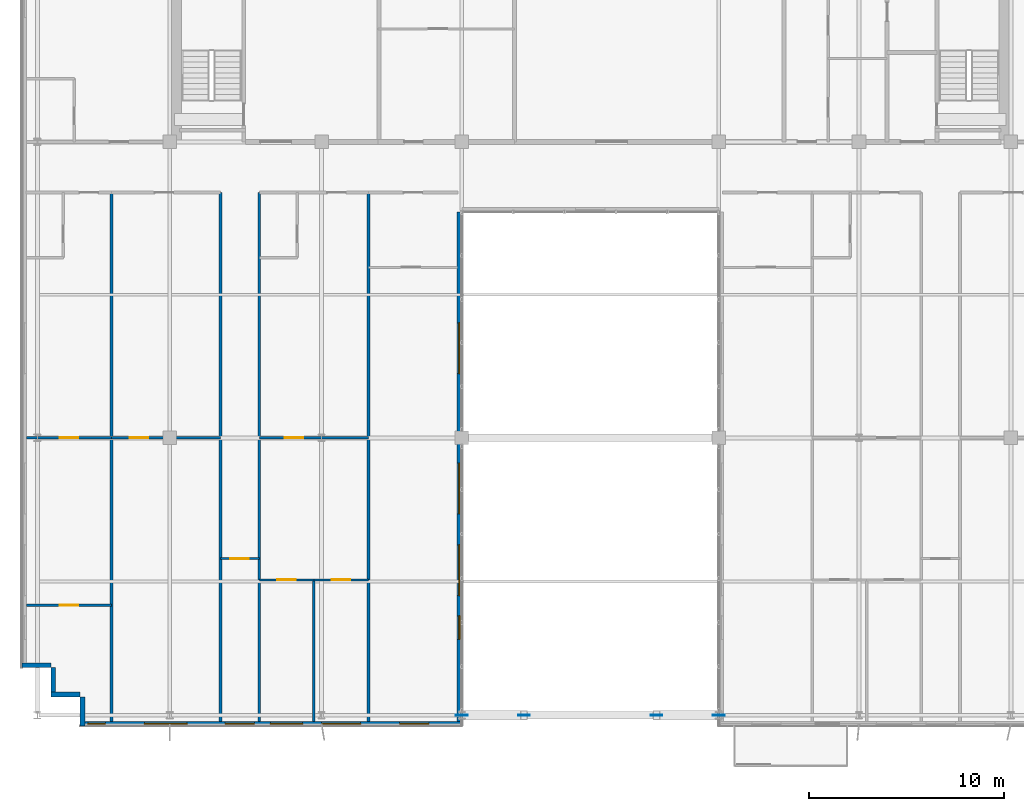
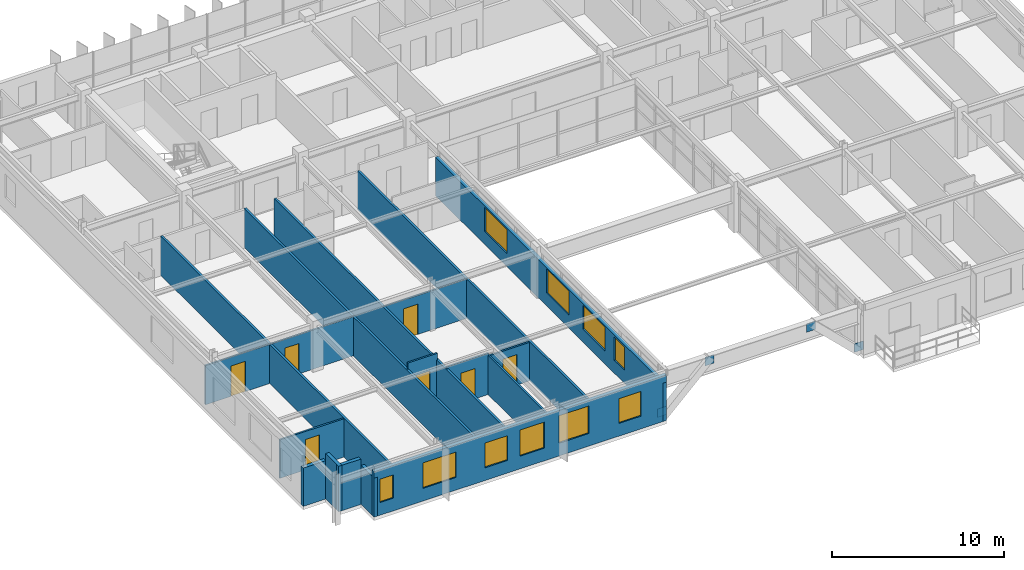
# One storey, part 30 of 37: 18 walls, 10 windows, 7 doors, 4 plates, 17 openings.
"""IFC4 building model written with IfcOpenShell, lengths in metres."""

import ifcopenshell
import ifcopenshell.guid

model = None  # the IFC model being written
_history = None  # IfcOwnerHistory: only IFC2X3 demands one
_inside = {}  # id of a spatial element -> (the spatial element, [elements in it])
_under = {}  # id of a project, library or spatial element -> (it, [spatial elements below it])
_declared = {}  # id of a project -> (the project, [libraries it declares])
_typed = {}  # id of a type object -> (the type object, [elements of that type])
_made_of = {}  # id of a material, layer set ... -> (it, [elements and type objects made of it])


def new_model(schema):
    """Start an empty IFC model of exactly this schema.

    Asked for "IFC4X3", IfcOpenShell would pick the latest addendum, in which some entities
    have other attributes; the version numbers below select the first issue.
    IFC2X3 requires an IfcOwnerHistory on every rooted entity: one is made here for all.
    """
    global model, _history
    if schema == "IFC4X3":
        model = ifcopenshell.file(schema_version=(4, 3, 0, 0))
    else:
        model = ifcopenshell.file(schema=schema)
    _inside.clear()
    _under.clear()
    _declared.clear()
    _typed.clear()
    _made_of.clear()
    _history = None
    if model.schema == "IFC2X3":
        org = make("IfcOrganization", Name="unknown")
        user = make(
            "IfcPersonAndOrganization",
            ThePerson=make("IfcPerson", FamilyName="unknown"),
            TheOrganization=org,
        )
        app = make(
            "IfcApplication",
            ApplicationDeveloper=org,
            Version="unknown",
            ApplicationFullName="unknown",
            ApplicationIdentifier="unknown",
        )
        _history = make(
            "IfcOwnerHistory",
            OwningUser=user,
            OwningApplication=app,
            ChangeAction="ADDED",
            CreationDate=0,
        )
    return model


def make(cls, **values):
    """One entity of the class cls with the attributes given. An attribute that is None is left unset."""
    return model.create_entity(
        cls, **{name: value for name, value in values.items() if value is not None}
    )


def rooted(cls, **values):
    """An entity with a GlobalId (a new one), such as an element, a storey or a relation."""
    return make(cls, GlobalId=ifcopenshell.guid.new(), OwnerHistory=_history, **values)


def si_unit(unit_type, name, prefix=None):
    """IfcSIUnit, for example si_unit("LENGTHUNIT", "METRE", prefix="MILLI")."""
    return make("IfcSIUnit", UnitType=unit_type, Prefix=prefix, Name=name)


def assignment(units):
    """IfcUnitAssignment: the units of a project."""
    return None if units is None else make("IfcUnitAssignment", Units=units)


def point(xyz):
    """IfcCartesianPoint."""
    return None if xyz is None else make("IfcCartesianPoint", Coordinates=xyz)


def direction(xyz):
    """IfcDirection."""
    return None if xyz is None else make("IfcDirection", DirectionRatios=xyz)


def frame(location, z_axis=None, x_axis=None):
    """IfcAxis2Placement3D, a coordinate frame: its origin and axes. An axis left out is left unset."""
    return make(
        "IfcAxis2Placement3D",
        Location=point(location),
        Axis=direction(z_axis),
        RefDirection=direction(x_axis),
    )


def frame_2d(location, x_axis=None):
    """IfcAxis2Placement2D, a coordinate frame in the plane: its origin and x axis."""
    return make(
        "IfcAxis2Placement2D", Location=point(location), RefDirection=direction(x_axis)
    )


def origin():
    """The frame at (0, 0, 0) with its axes left unset."""
    return frame((0.0, 0.0, 0.0))


def origin_2d():
    """The frame at (0, 0) in the plane with its x axis left unset."""
    return frame_2d((0.0, 0.0))


def place(relative_to, where):
    """IfcLocalPlacement: puts the frame where relative to a parent placement (None: the world)."""
    return make(
        "IfcLocalPlacement", PlacementRelTo=relative_to, RelativePlacement=where
    )


def context(
    kind, dimensions, precision=None, world=None, true_north=None, identifier=None
):
    """IfcGeometricRepresentationContext, for example the 3D "Model" context."""
    return make(
        "IfcGeometricRepresentationContext",
        ContextIdentifier=identifier,
        ContextType=kind,
        CoordinateSpaceDimension=dimensions,
        Precision=precision,
        WorldCoordinateSystem=world,
        TrueNorth=true_north,
    )


def subcontext(parent, identifier, kind, view, scale=None):
    """IfcGeometricRepresentationSubContext, for example "Body" below "Model"."""
    return make(
        "IfcGeometricRepresentationSubContext",
        ContextIdentifier=identifier,
        ContextType=kind,
        ParentContext=parent,
        TargetScale=scale,
        TargetView=view,
    )


def project(units=None, contexts=None):
    """IfcProject with its units and contexts."""
    return rooted(
        "IfcProject",
        Name="project",
        RepresentationContexts=contexts,
        UnitsInContext=assignment(units),
    )


def spatial(cls, under=None, at=None, **own):
    """A site, building, storey or space (cls), placed at a placement, below another one or the project."""
    s = rooted(cls, ObjectPlacement=at, **own)
    if under is not None:
        _under.setdefault(under.id(), (under, []))[1].append(s)
    return s


def profile(cls, at=None, kind="AREA", **sizes):
    """A parametric profile (cls). Its sizes go by their IFC names, for example OverallWidth=200.0."""
    return make(cls, ProfileType=kind, Position=at, **sizes)


def rectangle(**sizes):
    """IfcRectangleProfileDef."""
    return profile("IfcRectangleProfileDef", **sizes)


def extrude(swept, where, along, depth):
    """IfcExtrudedAreaSolid: the profile swept, set in the frame where, extruded along a direction by depth."""
    return make(
        "IfcExtrudedAreaSolid",
        SweptArea=swept,
        Position=where,
        ExtrudedDirection=direction(along),
        Depth=depth,
    )


def shape(context_of_items, identifier, shape_type, items):
    """IfcShapeRepresentation: the items that make up one representation, for example the "Body"."""
    return make(
        "IfcShapeRepresentation",
        ContextOfItems=context_of_items,
        RepresentationIdentifier=identifier,
        RepresentationType=shape_type,
        Items=items,
    )


def source(mapping_origin, context_of_items, identifier, shape_type, items):
    """IfcRepresentationMap: a shape defined once, which mapped items show again and again."""
    return make(
        "IfcRepresentationMap",
        MappingOrigin=mapping_origin,
        MappedRepresentation=shape(context_of_items, identifier, shape_type, items),
    )


def transform(
    local_origin,
    x_axis=None,
    y_axis=None,
    z_axis=None,
    scale=None,
    scale2=None,
    scale3=None,
    uniform=True,
):
    """IfcCartesianTransformationOperator3D, or its non-uniform kind. x_axis, y_axis, z_axis: its Axis1, 2, 3."""
    if uniform:
        return make(
            "IfcCartesianTransformationOperator3D",
            Axis1=direction(x_axis),
            Axis2=direction(y_axis),
            LocalOrigin=point(local_origin),
            Scale=scale,
            Axis3=direction(z_axis),
        )
    return make(
        "IfcCartesianTransformationOperator3DnonUniform",
        Axis1=direction(x_axis),
        Axis2=direction(y_axis),
        LocalOrigin=point(local_origin),
        Scale=scale,
        Axis3=direction(z_axis),
        Scale2=scale2,
        Scale3=scale3,
    )


def mapped(mapping_source, mapping_target):
    """IfcMappedItem: shows the shape of a source again, moved by a transform."""
    return make(
        "IfcMappedItem", MappingSource=mapping_source, MappingTarget=mapping_target
    )


def material(Name=None, Category=None):
    """IfcMaterial."""
    return make("IfcMaterial", Name=Name, Category=Category)


def layer(
    of_material, thickness, ventilated=None, Name=None, Category=None, Priority=None
):
    """IfcMaterialLayer: one layer of a wall or slab, of a material (None: an air gap)."""
    return make(
        "IfcMaterialLayer",
        Material=of_material,
        LayerThickness=thickness,
        IsVentilated=ventilated,
        Name=Name,
        Category=Category,
        Priority=Priority,
    )


def layer_set(layers, Name=None):
    """IfcMaterialLayerSet."""
    return make("IfcMaterialLayerSet", MaterialLayers=layers, LayerSetName=Name)


def made_of(thing, what):
    """Note that an element or type object is made of a material, layer set ...; save() writes the relation."""
    if what is not None:
        _made_of.setdefault(what.id(), (what, []))[1].append(thing)
    return thing


def type_object(cls, material=None, **own):
    """A type object (cls), such as IfcWallType, which elements share."""
    return made_of(rooted(cls, **own), material)


def element(
    cls,
    number,
    at=None,
    inside=None,
    cuts=None,
    type_object=None,
    material=None,
    context=None,
    identifier="Body",
    shape_type=None,
    held_by="IfcProductDefinitionShape",
    body=None,
    shapes=None,
    **own,
):
    """One element of the class cls, such as IfcWall. Its Tag is "e" and its number.

    at: its placement. inside: the storey or other place that contains it. cuts: it is an
    opening in that element (IfcRelVoidsElement). A single representation is given by context,
    identifier, shape_type and body (its items); several are given by shapes. held_by: the class
    of the entity that holds the representations. save() writes the other relations.
    """
    e = rooted(cls, Tag="e%d" % number, ObjectPlacement=at, **own)
    if body is not None:
        shapes = [shape(context, identifier, shape_type, body)]
    if shapes is not None:
        e.Representation = make(held_by, Representations=shapes)
    if inside is not None:
        _inside.setdefault(inside.id(), (inside, []))[1].append(e)
    if cuts is not None:
        rooted(
            "IfcRelVoidsElement", RelatingBuildingElement=cuts, RelatedOpeningElement=e
        )
    if type_object is not None:
        _typed.setdefault(type_object.id(), (type_object, []))[1].append(e)
    return made_of(e, material)


def fill(opening, filler):
    """IfcRelFillsElement: the door or window that sits in an opening."""
    return rooted(
        "IfcRelFillsElement",
        RelatingOpeningElement=opening,
        RelatedBuildingElement=filler,
    )


def aggregate(whole, parts):
    """IfcRelAggregates: a whole, such as a stair, and the parts it consists of."""
    return rooted("IfcRelAggregates", RelatingObject=whole, RelatedObjects=parts)


def save(model, path):
    """Write the relations noted so far, then the file.

    IfcRelAggregates (storeys below a building ...), IfcRelContainedInSpatialStructure (elements
    in a storey), IfcRelDefinesByType, IfcRelAssociatesMaterial and IfcRelDeclares: one each for
    every whole, place, type object, material and project.
    """
    for whole, parts in _under.values():
        aggregate(whole, parts)
    for where, things in _inside.values():
        rooted(
            "IfcRelContainedInSpatialStructure",
            RelatedElements=things,
            RelatingStructure=where,
        )
    for kind, things in _typed.values():
        rooted("IfcRelDefinesByType", RelatedObjects=things, RelatingType=kind)
    for what, things in _made_of.values():
        rooted("IfcRelAssociatesMaterial", RelatedObjects=things, RelatingMaterial=what)
    for by, libraries in _declared.values():
        rooted("IfcRelDeclares", RelatingContext=by, RelatedDefinitions=libraries)
    model.write(path)


model = new_model("IFC4")

# Units and contexts
model_context = context("Model", 3, precision=1e-05, world=origin(), true_north=direction((0.0, 1.0)))
body_context = subcontext(model_context, "Body", "Model", "MODEL_VIEW")
ifc_project = project(units=[si_unit("LENGTHUNIT", "METRE"), si_unit("AREAUNIT", "SQUARE_METRE"), si_unit("VOLUMEUNIT", "CUBIC_METRE"), si_unit("PLANEANGLEUNIT", "RADIAN"), si_unit("MASSUNIT", "GRAM", prefix="KILO")], contexts=[model_context])

# Site, building, storey
site_placement = place(None, origin())
site = spatial("IfcSite", under=ifc_project, at=site_placement, CompositionType="ELEMENT")
building_placement = place(site_placement, origin())
building = spatial("IfcBuilding", under=site, at=building_placement, Name="Trelvane Seafront Commons", CompositionType="ELEMENT")
storey_placement = place(building_placement, frame((0.0, 0.0, 201.300048828125)))
storey = spatial("IfcBuildingStorey", under=building, at=storey_placement, Name="L52", CompositionType="ELEMENT", Elevation=201.300048828125)

# Plates
ifc_material_1 = material(Name="Steel SM355 (S355)", Category="steel")
ifc_layer_1 = layer(ifc_material_1, 0.031982421875, Name="STR-PLT-GUS2")
ifc_layer_set_1 = layer_set([ifc_layer_1], Name="Steel SM355 (S355)")
plate_type = type_object("IfcPlateType", Name="STR-PLT-GUS2", PredefinedType="SHEET", material=ifc_layer_set_1)
shared_shape_1 = source(origin(), body_context, "Body", "SweptSolid", [
    extrude(rectangle(XDim=0.60009765625, YDim=0.031982421875, at=origin_2d()), origin(), (0.0, 0.0, 1.0), 0.60009765625),
])
for number, where, z_axis, x_axis, name in (
    (1, (30.60009765625, 3.949951171875, -0.02001953125), (0.0, 0.0, 1.0), (1.0, 0.0, 0.0), "L52 Brace Connection Gusset Plate GP-115"),
    (2, (33.800048828125, 3.949951171875, 2.52001953125), (0.0, 0.0, 1.0), (1.0, 0.0, 0.0), "L52 Brace Connection Gusset Plate GP-116"),
    (3, (43.800048828125, 3.949951171875, -0.02001953125), (0.0, 0.0, 1.0), (1.0, 0.0, 0.0), "L52 Brace Connection Gusset Plate GP-117"),
    (4, (40.60009765625, 3.949951171875, 2.52001953125), (0.0, 0.0, 1.0), (1.0, 0.0, 0.0), "L52 Brace Connection Gusset Plate GP-118"),
):
    element("IfcPlate", number, at=place(storey_placement, frame(where, z_axis=z_axis, x_axis=x_axis)), inside=storey, type_object=plate_type, Name=name, PredefinedType="SHEET", context=body_context, shape_type="MappedRepresentation", body=[
        mapped(shared_shape_1, transform((0.0, 0.0, 0.0), x_axis=(1.0, 0.0, 0.0), y_axis=(0.0, 1.0, 0.0), z_axis=(0.0, 0.0, 1.0), scale=1.0)),
    ])

# Walls
ifc_material_2 = material(Name="Precast concrete C40/50", Category="concrete")
ifc_layer_2 = layer(ifc_material_2, 0.239990234375, Name="ARCH-WALL-EXT240")
ifc_layer_set_2 = layer_set([ifc_layer_2], Name="Precast concrete C40/50")
wall_type_1 = type_object("IfcWallType", Name="ARCH-WALL-EXT240", PredefinedType="SOLIDWALL", material=ifc_layer_set_2)
for number, where, z_axis, x_axis, name in (
    (5, (11.0, 5.02001953125, 0.0), (0.0, 0.0, 1.0), (-1.0, 0.0, 0.0), "EW-L52-01034"),
    (6, (9.6201171875, 4.89990234375, 0.0), (0.0, 0.0, 1.0), (0.0, 1.0, 0.0), "EW-L52-01035"),
):
    element("IfcWall", number, at=place(storey_placement, frame(where, z_axis=z_axis, x_axis=x_axis)), inside=storey, type_object=wall_type_1, Name=name, PredefinedType="SOLIDWALL", context=body_context, shape_type="SweptSolid", body=[
        extrude(rectangle(XDim=1.5, YDim=0.239990234375, at=frame_2d((0.75, 0.0))), origin(), (0.0, 0.0, 1.0), 3.219970703125),
    ])
wall_1_placement = place(storey_placement, frame((9.5, 6.52001953125, 0.0), z_axis=(0.0, 0.0, 1.0), x_axis=(-1.0, 0.0, 0.0)))
element("IfcWall", 7, at=wall_1_placement, inside=storey, type_object=wall_type_1, Name="EW-L52-01036", PredefinedType="SOLIDWALL", context=body_context, shape_type="SweptSolid", body=[
    extrude(rectangle(XDim=1.5, YDim=0.239990234375, at=frame_2d((0.75, 0.0))), origin(), (0.0, 0.0, 1.0), 2.719970703125),
])

# Wall, openings, windows
wall_2_placement = place(storey_placement, frame((30.47998046875, 29.800048828125, 0.0), z_axis=(0.0, 0.0, 1.0), x_axis=(0.0, -1.0, 0.0)))
wall_2 = element("IfcWall", 8, at=wall_2_placement, inside=storey, type_object=wall_type_1, Name="EW-L52-01054", PredefinedType="SOLIDWALL", context=body_context, shape_type="SweptSolid", body=[
    extrude(rectangle(XDim=26.400146484375, YDim=0.239990234375, at=frame_2d((13.2001953125, 0.0))), origin(), (0.0, 0.0, 1.0), 2.719970703125),
])
opening_1_placement = place(wall_2_placement, frame((20.75, 0.0, 0.919921875)))
opening_1 = element("IfcOpeningElement", 9, at=opening_1_placement, cuts=wall_2, Name="Opening W05", PredefinedType="OPENING", context=body_context, shape_type="SweptSolid", body=[
    extrude(rectangle(XDim=1.199951171875, YDim=1.64990234375, at=frame_2d((0.60009765625, 0.824951171875))), frame((0.0, 0.1298828125, 0.0), z_axis=(0.0, -1.0, 0.0), x_axis=(1.0, 0.0, 0.0)), (0.0, 0.0, 1.0), 0.260009765625),
])
opening_2_placement = place(wall_2_placement, frame((17.10009765625, 0.0, 0.919921875)))
opening_2 = element("IfcOpeningElement", 10, at=opening_2_placement, cuts=wall_2, Name="Opening W04", PredefinedType="OPENING", context=body_context, shape_type="SweptSolid", body=[
    extrude(rectangle(XDim=2.60009765625, YDim=1.699951171875, at=frame_2d((1.300048828125, 0.85009765625))), frame((0.0, 0.1298828125, 0.0), z_axis=(0.0, -1.0, 0.0), x_axis=(1.0, 0.0, 0.0)), (0.0, 0.0, 1.0), 0.260009765625),
])
opening_3_placement = place(wall_2_placement, frame((12.89990234375, 0.0, 0.919921875)))
opening_3 = element("IfcOpeningElement", 11, at=opening_3_placement, cuts=wall_2, Name="Opening W04", PredefinedType="OPENING", context=body_context, shape_type="SweptSolid", body=[
    extrude(rectangle(XDim=2.60009765625, YDim=1.699951171875, at=frame_2d((1.300048828125, 0.85009765625))), frame((0.0, 0.1298828125, 0.0), z_axis=(0.0, -1.0, 0.0), x_axis=(1.0, 0.0, 0.0)), (0.0, 0.0, 1.0), 0.260009765625),
])
opening_4_placement = place(wall_2_placement, frame((5.699951171875, 0.0, 0.919921875)))
opening_4 = element("IfcOpeningElement", 12, at=opening_4_placement, cuts=wall_2, Name="Opening W04", PredefinedType="OPENING", context=body_context, shape_type="SweptSolid", body=[
    extrude(rectangle(XDim=2.60009765625, YDim=1.699951171875, at=frame_2d((1.300048828125, 0.85009765625))), frame((0.0, 0.1298828125, 0.0), z_axis=(0.0, -1.0, 0.0), x_axis=(1.0, 0.0, 0.0)), (0.0, 0.0, 1.0), 0.260009765625),
])
ifc_material_3 = material(Name="Low-E coastal double glazing", Category="glass")
window_type_1 = type_object("IfcWindowType", Name="ARCH-WIN-W05", PartitioningType="SINGLE_PANEL", PredefinedType="WINDOW", material=ifc_material_3)
shared_shape_2 = source(origin(), body_context, "Body", "SweptSolid", [
    extrude(rectangle(XDim=1.199951171875, YDim=1.64990234375, at=frame_2d((0.60009765625, 0.824951171875))), frame((0.0, 0.030029296875, 0.0), z_axis=(0.0, -1.0, 0.0), x_axis=(1.0, 0.0, 0.0)), (0.0, 0.0, 1.0), 0.06005859375),
])
window_1_placement = place(opening_1_placement, origin())
window_1 = element("IfcWindow", 13, at=window_1_placement, inside=storey, type_object=window_type_1, Name="WIN-L52-EW-01261", OverallHeight=1.64990234375, OverallWidth=1.199951171875, PartitioningType="SINGLE_PANEL", PredefinedType="WINDOW", context=body_context, shape_type="MappedRepresentation", body=[
    mapped(shared_shape_2, transform((0.0, 0.0, 0.0), x_axis=(1.0, 0.0, 0.0), y_axis=(0.0, 1.0, 0.0), z_axis=(0.0, 0.0, 1.0), scale=1.0)),
])
fill(opening_1, window_1)
window_type_2 = type_object("IfcWindowType", Name="ARCH-WIN-W04", PartitioningType="SINGLE_PANEL", PredefinedType="WINDOW", material=ifc_material_3)
shared_shape_3 = source(origin(), body_context, "Body", "SweptSolid", [
    extrude(rectangle(XDim=2.60009765625, YDim=1.699951171875, at=frame_2d((1.300048828125, 0.85009765625))), frame((0.0, 0.030029296875, 0.0), z_axis=(0.0, -1.0, 0.0), x_axis=(1.0, 0.0, 0.0)), (0.0, 0.0, 1.0), 0.06005859375),
])
window_2_placement = place(opening_2_placement, origin())
window_2 = element("IfcWindow", 14, at=window_2_placement, inside=storey, type_object=window_type_2, Name="WIN-L52-EW-01262", OverallHeight=1.699951171875, OverallWidth=2.60009765625, PartitioningType="SINGLE_PANEL", PredefinedType="WINDOW", context=body_context, shape_type="MappedRepresentation", body=[
    mapped(shared_shape_3, transform((0.0, 0.0, 0.0), x_axis=(1.0, 0.0, 0.0), y_axis=(0.0, 1.0, 0.0), z_axis=(0.0, 0.0, 1.0), scale=1.0)),
])
fill(opening_2, window_2)
window_3_placement = place(opening_3_placement, origin())
window_3 = element("IfcWindow", 15, at=window_3_placement, inside=storey, type_object=window_type_2, Name="WIN-L52-EW-01263", OverallHeight=1.699951171875, OverallWidth=2.60009765625, PartitioningType="SINGLE_PANEL", PredefinedType="WINDOW", context=body_context, shape_type="MappedRepresentation", body=[
    mapped(shared_shape_3, transform((0.0, 0.0, 0.0), x_axis=(1.0, 0.0, 0.0), y_axis=(0.0, 1.0, 0.0), z_axis=(0.0, 0.0, 1.0), scale=1.0)),
])
fill(opening_3, window_3)
window_4_placement = place(opening_4_placement, origin())
window_4 = element("IfcWindow", 16, at=window_4_placement, inside=storey, type_object=window_type_2, Name="WIN-L52-EW-01264", OverallHeight=1.699951171875, OverallWidth=2.60009765625, PartitioningType="SINGLE_PANEL", PredefinedType="WINDOW", context=body_context, shape_type="MappedRepresentation", body=[
    mapped(shared_shape_3, transform((0.0, 0.0, 0.0), x_axis=(1.0, 0.0, 0.0), y_axis=(0.0, 1.0, 0.0), z_axis=(0.0, 0.0, 1.0), scale=1.0)),
])
fill(opening_4, window_4)

wall_3_placement = place(storey_placement, frame((30.60009765625, 3.52001953125, 0.0), z_axis=(0.0, 0.0, 1.0), x_axis=(-1.0, 0.0, 0.0)))
wall_3 = element("IfcWall", 17, at=wall_3_placement, inside=storey, type_object=wall_type_1, Name="EW-L52-01055", PredefinedType="SOLIDWALL", context=body_context, shape_type="SweptSolid", body=[
    extrude(rectangle(XDim=19.60009765625, YDim=0.239990234375, at=frame_2d((9.800048828125, 0.0))), origin(), (0.0, 0.0, 1.0), 3.219970703125),
])
opening_5_placement = place(wall_3_placement, frame((1.695068359375, 0.0, 0.89990234375)))
opening_5 = element("IfcOpeningElement", 18, at=opening_5_placement, cuts=wall_3, Name="Opening W03", PredefinedType="OPENING", context=body_context, shape_type="SweptSolid", body=[
    extrude(rectangle(XDim=1.5, YDim=1.75, at=frame_2d((0.75, 0.875))), frame((0.0, 0.1298828125, 0.0), z_axis=(0.0, -1.0, 0.0), x_axis=(1.0, 0.0, 0.0)), (0.0, 0.0, 1.0), 0.260009765625),
])
opening_6_placement = place(wall_3_placement, frame((5.199951171875, 0.0, 0.89990234375)))
opening_6 = element("IfcOpeningElement", 19, at=opening_6_placement, cuts=wall_3, Name="Opening W06", PredefinedType="OPENING", context=body_context, shape_type="SweptSolid", body=[
    extrude(rectangle(XDim=2.0, YDim=1.949951171875, at=frame_2d((1.0, 0.97509765625))), frame((0.0, 0.1298828125, 0.0), z_axis=(0.0, -1.0, 0.0), x_axis=(1.0, 0.0, 0.0)), (0.0, 0.0, 1.0), 0.260009765625),
])
opening_7_placement = place(wall_3_placement, frame((8.175048828125, 0.0, 0.89990234375)))
opening_7 = element("IfcOpeningElement", 20, at=opening_7_placement, cuts=wall_3, Name="Opening W07", PredefinedType="OPENING", context=body_context, shape_type="SweptSolid", body=[
    extrude(rectangle(XDim=1.64990234375, YDim=1.85009765625, at=frame_2d((0.824951171875, 0.925048828125))), frame((0.0, 0.1298828125, 0.0), z_axis=(0.0, -1.0, 0.0), x_axis=(1.0, 0.0, 0.0)), (0.0, 0.0, 1.0), 0.260009765625),
])
opening_8_placement = place(wall_3_placement, frame((10.64990234375, 0.0, 0.89990234375)))
opening_8 = element("IfcOpeningElement", 21, at=opening_8_placement, cuts=wall_3, Name="Opening W03", PredefinedType="OPENING", context=body_context, shape_type="SweptSolid", body=[
    extrude(rectangle(XDim=1.5, YDim=1.75, at=frame_2d((0.75, 0.875))), frame((0.0, 0.1298828125, 0.0), z_axis=(0.0, -1.0, 0.0), x_axis=(1.0, 0.0, 0.0)), (0.0, 0.0, 1.0), 0.260009765625),
])
opening_9_placement = place(wall_3_placement, frame((14.10009765625, 0.0, 0.89990234375)))
opening_9 = element("IfcOpeningElement", 22, at=opening_9_placement, cuts=wall_3, Name="Opening W02", PredefinedType="OPENING", context=body_context, shape_type="SweptSolid", body=[
    extrude(rectangle(XDim=2.199951171875, YDim=1.800048828125, at=frame_2d((1.10009765625, 0.89990234375))), frame((0.0, 0.1298828125, 0.0), z_axis=(0.0, -1.0, 0.0), x_axis=(1.0, 0.0, 0.0)), (0.0, 0.0, 1.0), 0.260009765625),
])
opening_10_placement = place(wall_3_placement, frame((18.304931640625, 0.0, 0.89990234375)))
opening_10 = element("IfcOpeningElement", 23, at=opening_10_placement, cuts=wall_3, Name="Opening W11", PredefinedType="OPENING", context=body_context, shape_type="SweptSolid", body=[
    extrude(rectangle(XDim=0.89990234375, YDim=1.64990234375, at=frame_2d((0.449951171875, 0.824951171875))), frame((0.0, 0.1298828125, 0.0), z_axis=(0.0, -1.0, 0.0), x_axis=(1.0, 0.0, 0.0)), (0.0, 0.0, 1.0), 0.260009765625),
])
window_type_3 = type_object("IfcWindowType", Name="ARCH-WIN-W02", PartitioningType="SINGLE_PANEL", PredefinedType="WINDOW", material=ifc_material_3)
shared_shape_4 = source(origin(), body_context, "Body", "SweptSolid", [
    extrude(rectangle(XDim=2.199951171875, YDim=1.800048828125, at=frame_2d((1.10009765625, 0.89990234375))), frame((0.0, 0.030029296875, 0.0), z_axis=(0.0, -1.0, 0.0), x_axis=(1.0, 0.0, 0.0)), (0.0, 0.0, 1.0), 0.06005859375),
])
window_5_placement = place(opening_9_placement, origin())
window_5 = element("IfcWindow", 24, at=window_5_placement, inside=storey, type_object=window_type_3, Name="WIN-L52-01269", OverallHeight=1.800048828125, OverallWidth=2.199951171875, PartitioningType="SINGLE_PANEL", PredefinedType="WINDOW", context=body_context, shape_type="MappedRepresentation", body=[
    mapped(shared_shape_4, transform((0.0, 0.0, 0.0), x_axis=(1.0, 0.0, 0.0), y_axis=(0.0, 1.0, 0.0), z_axis=(0.0, 0.0, 1.0), scale=1.0)),
])
fill(opening_9, window_5)
window_type_4 = type_object("IfcWindowType", Name="ARCH-WIN-W03", PartitioningType="SINGLE_PANEL", PredefinedType="WINDOW", material=ifc_material_3)
shared_shape_5 = source(origin(), body_context, "Body", "SweptSolid", [
    extrude(rectangle(XDim=1.5, YDim=1.75, at=frame_2d((0.75, 0.875))), frame((0.0, 0.030029296875, 0.0), z_axis=(0.0, -1.0, 0.0), x_axis=(1.0, 0.0, 0.0)), (0.0, 0.0, 1.0), 0.06005859375),
])
window_6_placement = place(opening_5_placement, origin())
window_6 = element("IfcWindow", 25, at=window_6_placement, inside=storey, type_object=window_type_4, Name="WIN-L52-01265", OverallHeight=1.75, OverallWidth=1.5, PartitioningType="SINGLE_PANEL", PredefinedType="WINDOW", context=body_context, shape_type="MappedRepresentation", body=[
    mapped(shared_shape_5, transform((0.0, 0.0, 0.0), x_axis=(1.0, 0.0, 0.0), y_axis=(0.0, 1.0, 0.0), z_axis=(0.0, 0.0, 1.0), scale=1.0)),
])
fill(opening_5, window_6)
window_7_placement = place(opening_8_placement, origin())
window_7 = element("IfcWindow", 26, at=window_7_placement, inside=storey, type_object=window_type_4, Name="WIN-L52-01268", OverallHeight=1.75, OverallWidth=1.5, PartitioningType="SINGLE_PANEL", PredefinedType="WINDOW", context=body_context, shape_type="MappedRepresentation", body=[
    mapped(shared_shape_5, transform((0.0, 0.0, 0.0), x_axis=(1.0, 0.0, 0.0), y_axis=(0.0, 1.0, 0.0), z_axis=(0.0, 0.0, 1.0), scale=1.0)),
])
fill(opening_8, window_7)
window_type_5 = type_object("IfcWindowType", Name="ARCH-WIN-W06", PartitioningType="SINGLE_PANEL", PredefinedType="WINDOW", material=ifc_material_3)
shared_shape_6 = source(origin(), body_context, "Body", "SweptSolid", [
    extrude(rectangle(XDim=2.0, YDim=1.949951171875, at=frame_2d((1.0, 0.97509765625))), frame((0.0, 0.030029296875, 0.0), z_axis=(0.0, -1.0, 0.0), x_axis=(1.0, 0.0, 0.0)), (0.0, 0.0, 1.0), 0.06005859375),
])
window_8_placement = place(opening_6_placement, origin())
window_8 = element("IfcWindow", 27, at=window_8_placement, inside=storey, type_object=window_type_5, Name="WIN-L52-01266", OverallHeight=1.949951171875, OverallWidth=2.0, PartitioningType="SINGLE_PANEL", PredefinedType="WINDOW", context=body_context, shape_type="MappedRepresentation", body=[
    mapped(shared_shape_6, transform((0.0, 0.0, 0.0), x_axis=(1.0, 0.0, 0.0), y_axis=(0.0, 1.0, 0.0), z_axis=(0.0, 0.0, 1.0), scale=1.0)),
])
fill(opening_6, window_8)
window_type_6 = type_object("IfcWindowType", Name="ARCH-WIN-W07", PartitioningType="SINGLE_PANEL", PredefinedType="WINDOW", material=ifc_material_3)
shared_shape_7 = source(origin(), body_context, "Body", "SweptSolid", [
    extrude(rectangle(XDim=1.64990234375, YDim=1.85009765625, at=frame_2d((0.824951171875, 0.925048828125))), frame((0.0, 0.030029296875, 0.0), z_axis=(0.0, -1.0, 0.0), x_axis=(1.0, 0.0, 0.0)), (0.0, 0.0, 1.0), 0.06005859375),
])
window_9_placement = place(opening_7_placement, origin())
window_9 = element("IfcWindow", 28, at=window_9_placement, inside=storey, type_object=window_type_6, Name="WIN-L52-01267", OverallHeight=1.85009765625, OverallWidth=1.64990234375, PartitioningType="SINGLE_PANEL", PredefinedType="WINDOW", context=body_context, shape_type="MappedRepresentation", body=[
    mapped(shared_shape_7, transform((0.0, 0.0, 0.0), x_axis=(1.0, 0.0, 0.0), y_axis=(0.0, 1.0, 0.0), z_axis=(0.0, 0.0, 1.0), scale=1.0)),
])
fill(opening_7, window_9)
window_type_7 = type_object("IfcWindowType", Name="ARCH-WIN-W11", PartitioningType="SINGLE_PANEL", PredefinedType="WINDOW", material=ifc_material_3)
shared_shape_8 = source(origin(), body_context, "Body", "SweptSolid", [
    extrude(rectangle(XDim=0.89990234375, YDim=1.64990234375, at=frame_2d((0.449951171875, 0.824951171875))), frame((0.0, 0.030029296875, 0.0), z_axis=(0.0, -1.0, 0.0), x_axis=(1.0, 0.0, 0.0)), (0.0, 0.0, 1.0), 0.06005859375),
])
window_10_placement = place(opening_10_placement, origin())
window_10 = element("IfcWindow", 29, at=window_10_placement, inside=storey, type_object=window_type_7, Name="WIN-L52-01270", OverallHeight=1.64990234375, OverallWidth=0.89990234375, PartitioningType="SINGLE_PANEL", PredefinedType="WINDOW", context=body_context, shape_type="MappedRepresentation", body=[
    mapped(shared_shape_8, transform((0.0, 0.0, 0.0), x_axis=(1.0, 0.0, 0.0), y_axis=(0.0, 1.0, 0.0), z_axis=(0.0, 0.0, 1.0), scale=1.0)),
])
fill(opening_10, window_10)

# Wall
wall_4_placement = place(storey_placement, frame((11.1201171875, 3.39990234375, 0.0), z_axis=(0.0, 0.0, 1.0), x_axis=(0.0, 1.0, 0.0)))
element("IfcWall", 30, at=wall_4_placement, inside=storey, type_object=wall_type_1, Name="EW-L52-01056", PredefinedType="SOLIDWALL", context=body_context, shape_type="SweptSolid", body=[
    extrude(rectangle(XDim=1.5, YDim=0.239990234375, at=frame_2d((0.75, 0.0))), origin(), (0.0, 0.0, 1.0), 2.77001953125),
])

# Wall, opening, door
ifc_material_4 = material(Name="Gypsum Drywall Acoustic Partition")
ifc_layer_3 = layer(ifc_material_4, 0.1201171875, Name="ARCH-WALL-PART120")
ifc_layer_set_3 = layer_set([ifc_layer_3], Name="Gypsum Drywall Acoustic Partition")
wall_type_2 = type_object("IfcWallType", Name="ARCH-WALL-PART120", PredefinedType="PARTITIONING", material=ifc_layer_set_3)
wall_5_placement = place(storey_placement, frame((8.239990234375, 18.199951171875, 0.0), z_axis=(0.0, 0.0, 1.0), x_axis=(1.0, 0.0, 0.0)))
wall_5 = element("IfcWall", 31, at=wall_5_placement, inside=storey, type_object=wall_type_2, Name="W-L52-U1-KL-050", PredefinedType="PARTITIONING", context=body_context, shape_type="SweptSolid", body=[
    extrude(rectangle(XDim=4.360107421875, YDim=0.1201171875, at=frame_2d((2.18017578125, 0.0))), origin(), (0.0, 0.0, 1.0), 2.77001953125),
])
opening_11_placement = place(wall_5_placement, frame((1.705078125, 0.0, 0.0)))
opening_11 = element("IfcOpeningElement", 32, at=opening_11_placement, cuts=wall_5, Name="Opening D-L52-28", PredefinedType="OPENING", context=body_context, shape_type="SweptSolid", body=[
    extrude(rectangle(XDim=0.949951171875, YDim=2.14990234375, at=frame_2d((0.47509765625, 1.074951171875))), frame((0.0, 0.070068359375, 0.0), z_axis=(0.0, -1.0, 0.0), x_axis=(1.0, 0.0, 0.0)), (0.0, 0.0, 1.0), 0.14013671875),
])
ifc_material_5 = material(Name="Acoustic timber door leaf", Category="wood")
door_type = type_object("IfcDoorType", Name="ARCH-DR-INT950", OperationType="NOTDEFINED", PredefinedType="DOOR", material=ifc_material_5)
shared_shape_9 = source(origin(), body_context, "Body", "SweptSolid", [
    extrude(rectangle(XDim=0.949951171875, YDim=2.14990234375, at=frame_2d((0.47509765625, 1.074951171875))), frame((0.0, 0.02490234375, 0.0), z_axis=(0.0, -1.0, 0.0), x_axis=(1.0, 0.0, 0.0)), (0.0, 0.0, 1.0), 0.050048828125),
])
door_1_placement = place(opening_11_placement, origin())
door_1 = element("IfcDoor", 33, at=door_1_placement, inside=storey, type_object=door_type, Name="L52 Door 28", OperationType="SINGLE_SWING_RIGHT", OverallHeight=2.14990234375, OverallWidth=0.949951171875, PredefinedType="DOOR", context=body_context, shape_type="MappedRepresentation", body=[
    mapped(shared_shape_9, transform((0.0, 0.0, 0.0), x_axis=(1.0, 0.0, 0.0), y_axis=(0.0, 1.0, 0.0), z_axis=(0.0, 0.0, 1.0), scale=1.0)),
])
fill(opening_11, door_1)

wall_6_placement = place(storey_placement, frame((8.239990234375, 9.60009765625, 0.0), z_axis=(0.0, 0.0, 1.0), x_axis=(1.0, 0.0, 0.0)))
wall_6 = element("IfcWall", 34, at=wall_6_placement, inside=storey, type_object=wall_type_2, Name="W-L52-U1-YM-1-054", PredefinedType="PARTITIONING", context=body_context, shape_type="SweptSolid", body=[
    extrude(rectangle(XDim=4.360107421875, YDim=0.1201171875, at=frame_2d((2.18017578125, 0.0))), origin(), (0.0, 0.0, 1.0), 2.719970703125),
])
opening_12_placement = place(wall_6_placement, frame((1.705078125, 0.0, 0.0)))
opening_12 = element("IfcOpeningElement", 35, at=opening_12_placement, cuts=wall_6, Name="Opening D-L52-31", PredefinedType="OPENING", context=body_context, shape_type="SweptSolid", body=[
    extrude(rectangle(XDim=0.949951171875, YDim=2.14990234375, at=frame_2d((0.47509765625, 1.074951171875))), frame((0.0, 0.070068359375, 0.0), z_axis=(0.0, -1.0, 0.0), x_axis=(1.0, 0.0, 0.0)), (0.0, 0.0, 1.0), 0.14013671875),
])
door_2_placement = place(opening_12_placement, origin())
door_2 = element("IfcDoor", 36, at=door_2_placement, inside=storey, type_object=door_type, Name="L52 Door 31", OperationType="SINGLE_SWING_LEFT", OverallHeight=2.14990234375, OverallWidth=0.949951171875, PredefinedType="DOOR", context=body_context, shape_type="MappedRepresentation", body=[
    mapped(shared_shape_9, transform((0.0, 0.0, 0.0), x_axis=(1.0, 0.0, 0.0), y_axis=(0.0, 1.0, 0.0), z_axis=(0.0, 0.0, 1.0), scale=1.0)),
])
fill(opening_12, door_2)

wall_7_placement = place(storey_placement, frame((12.60009765625, 18.199951171875, 0.0), z_axis=(0.0, 0.0, 1.0), x_axis=(1.0, 0.0, 0.0)))
wall_7 = element("IfcWall", 37, at=wall_7_placement, inside=storey, type_object=wall_type_2, Name="W-L52-U2-DIV-056", PredefinedType="PARTITIONING", context=body_context, shape_type="SweptSolid", body=[
    extrude(rectangle(XDim=5.599853515625, YDim=0.1201171875, at=frame_2d((2.7998046875, 0.0))), origin(), (0.0, 0.0, 1.0), 2.77001953125),
])
opening_13_placement = place(wall_7_placement, frame((0.93603515625, 0.0, 0.0)))
opening_13 = element("IfcOpeningElement", 38, at=opening_13_placement, cuts=wall_7, Name="Opening D-L52-33", PredefinedType="OPENING", context=body_context, shape_type="SweptSolid", body=[
    extrude(rectangle(XDim=0.949951171875, YDim=2.14990234375, at=frame_2d((0.47509765625, 1.074951171875))), frame((0.0, 0.070068359375, 0.0), z_axis=(0.0, -1.0, 0.0), x_axis=(1.0, 0.0, 0.0)), (0.0, 0.0, 1.0), 0.14013671875),
])
door_3_placement = place(opening_13_placement, origin())
door_3 = element("IfcDoor", 39, at=door_3_placement, inside=storey, type_object=door_type, Name="L52 Door 33", OperationType="SINGLE_SWING_LEFT", OverallHeight=2.14990234375, OverallWidth=0.949951171875, PredefinedType="DOOR", context=body_context, shape_type="MappedRepresentation", body=[
    mapped(shared_shape_9, transform((0.0, 0.0, 0.0), x_axis=(1.0, 0.0, 0.0), y_axis=(0.0, 1.0, 0.0), z_axis=(0.0, 0.0, 1.0), scale=1.0)),
])
fill(opening_13, door_3)

wall_8_placement = place(storey_placement, frame((18.199951171875, 12.0, 0.0), z_axis=(0.0, 0.0, 1.0), x_axis=(1.0, 0.0, 0.0)))
wall_8 = element("IfcWall", 40, at=wall_8_placement, inside=storey, type_object=wall_type_2, Name="W-L52-ARM-END-3-059", PredefinedType="PARTITIONING", context=body_context, shape_type="SweptSolid", body=[
    extrude(rectangle(XDim=2.0, YDim=0.1201171875, at=frame_2d((1.0, 0.0))), origin(), (0.0, 0.0, 1.0), 3.219970703125),
])
opening_14_placement = place(wall_8_placement, frame((0.52001953125, 0.0, 0.0)))
opening_14 = element("IfcOpeningElement", 41, at=opening_14_placement, cuts=wall_8, Name="Opening D-L52-34", PredefinedType="OPENING", context=body_context, shape_type="SweptSolid", body=[
    extrude(rectangle(XDim=0.949951171875, YDim=2.14990234375, at=frame_2d((0.47509765625, 1.074951171875))), frame((0.0, 0.070068359375, 0.0), z_axis=(0.0, -1.0, 0.0), x_axis=(1.0, 0.0, 0.0)), (0.0, 0.0, 1.0), 0.14013671875),
])
door_4_placement = place(opening_14_placement, origin())
door_4 = element("IfcDoor", 42, at=door_4_placement, inside=storey, type_object=door_type, Name="L52 Door 34", OperationType="SINGLE_SWING_RIGHT", OverallHeight=2.14990234375, OverallWidth=0.949951171875, PredefinedType="DOOR", context=body_context, shape_type="MappedRepresentation", body=[
    mapped(shared_shape_9, transform((0.0, 0.0, 0.0), x_axis=(1.0, 0.0, 0.0), y_axis=(0.0, 1.0, 0.0), z_axis=(0.0, 0.0, 1.0), scale=1.0)),
])
fill(opening_14, door_4)

wall_9_placement = place(storey_placement, frame((20.199951171875, 18.199951171875, 0.0), z_axis=(0.0, 0.0, 1.0), x_axis=(1.0, 0.0, 0.0)))
wall_9 = element("IfcWall", 43, at=wall_9_placement, inside=storey, type_object=wall_type_2, Name="W-L52-U4-KL-060", PredefinedType="PARTITIONING", context=body_context, shape_type="SweptSolid", body=[
    extrude(rectangle(XDim=5.60009765625, YDim=0.1201171875, at=frame_2d((2.800048828125, 0.0))), origin(), (0.0, 0.0, 1.0), 2.77001953125),
])
opening_15_placement = place(wall_9_placement, frame((1.305908203125, 0.0, 0.0)))
opening_15 = element("IfcOpeningElement", 44, at=opening_15_placement, cuts=wall_9, Name="Opening D-L52-35", PredefinedType="OPENING", context=body_context, shape_type="SweptSolid", body=[
    extrude(rectangle(XDim=0.949951171875, YDim=2.14990234375, at=frame_2d((0.47509765625, 1.074951171875))), frame((0.0, 0.070068359375, 0.0), z_axis=(0.0, -1.0, 0.0), x_axis=(1.0, 0.0, 0.0)), (0.0, 0.0, 1.0), 0.14013671875),
])
door_5_placement = place(opening_15_placement, origin())
door_5 = element("IfcDoor", 45, at=door_5_placement, inside=storey, type_object=door_type, Name="L52 Door 35", OperationType="SINGLE_SWING_LEFT", OverallHeight=2.14990234375, OverallWidth=0.949951171875, PredefinedType="DOOR", context=body_context, shape_type="MappedRepresentation", body=[
    mapped(shared_shape_9, transform((0.0, 0.0, 0.0), x_axis=(1.0, 0.0, 0.0), y_axis=(0.0, 1.0, 0.0), z_axis=(0.0, 0.0, 1.0), scale=1.0)),
])
fill(opening_15, door_5)

wall_10_placement = place(storey_placement, frame((20.199951171875, 10.89990234375, 0.0), z_axis=(0.0, 0.0, 1.0), x_axis=(1.0, 0.0, 0.0)))
wall_10 = element("IfcWall", 46, at=wall_10_placement, inside=storey, type_object=wall_type_2, Name="W-L52-U4-YM-1-064", PredefinedType="PARTITIONING", context=body_context, shape_type="SweptSolid", body=[
    extrude(rectangle(XDim=2.800048828125, YDim=0.1201171875, at=frame_2d((1.39990234375, 0.0))), origin(), (0.0, 0.0, 1.0), 2.919921875),
])
opening_16_placement = place(wall_10_placement, frame((0.925048828125, 0.0, 0.0)))
opening_16 = element("IfcOpeningElement", 47, at=opening_16_placement, cuts=wall_10, Name="Opening D-L52-38", PredefinedType="OPENING", context=body_context, shape_type="SweptSolid", body=[
    extrude(rectangle(XDim=0.949951171875, YDim=2.14990234375, at=frame_2d((0.47509765625, 1.074951171875))), frame((0.0, 0.070068359375, 0.0), z_axis=(0.0, -1.0, 0.0), x_axis=(1.0, 0.0, 0.0)), (0.0, 0.0, 1.0), 0.14013671875),
])
door_6_placement = place(opening_16_placement, origin())
door_6 = element("IfcDoor", 48, at=door_6_placement, inside=storey, type_object=door_type, Name="L52 Door 38", OperationType="SINGLE_SWING_RIGHT", OverallHeight=2.14990234375, OverallWidth=0.949951171875, PredefinedType="DOOR", context=body_context, shape_type="MappedRepresentation", body=[
    mapped(shared_shape_9, transform((0.0, 0.0, 0.0), x_axis=(1.0, 0.0, 0.0), y_axis=(0.0, 1.0, 0.0), z_axis=(0.0, 0.0, 1.0), scale=1.0)),
])
fill(opening_16, door_6)

wall_11_placement = place(storey_placement, frame((23.0, 10.89990234375, 0.0), z_axis=(0.0, 0.0, 1.0), x_axis=(1.0, 0.0, 0.0)))
wall_11 = element("IfcWall", 49, at=wall_11_placement, inside=storey, type_object=wall_type_2, Name="W-L52-U4-YM-2-065", PredefinedType="PARTITIONING", context=body_context, shape_type="SweptSolid", body=[
    extrude(rectangle(XDim=2.800048828125, YDim=0.1201171875, at=frame_2d((1.39990234375, 0.0))), origin(), (0.0, 0.0, 1.0), 2.719970703125),
])
opening_17_placement = place(wall_11_placement, frame((0.925048828125, 0.0, 0.0)))
opening_17 = element("IfcOpeningElement", 50, at=opening_17_placement, cuts=wall_11, Name="Opening D-L52-39", PredefinedType="OPENING", context=body_context, shape_type="SweptSolid", body=[
    extrude(rectangle(XDim=0.949951171875, YDim=2.14990234375, at=frame_2d((0.47509765625, 1.074951171875))), frame((0.0, 0.070068359375, 0.0), z_axis=(0.0, -1.0, 0.0), x_axis=(1.0, 0.0, 0.0)), (0.0, 0.0, 1.0), 0.14013671875),
])
door_7_placement = place(opening_17_placement, origin())
door_7 = element("IfcDoor", 51, at=door_7_placement, inside=storey, type_object=door_type, Name="L52 Door 39", OperationType="SINGLE_SWING_LEFT", OverallHeight=2.14990234375, OverallWidth=0.949951171875, PredefinedType="DOOR", context=body_context, shape_type="MappedRepresentation", body=[
    mapped(shared_shape_9, transform((0.0, 0.0, 0.0), x_axis=(1.0, 0.0, 0.0), y_axis=(0.0, 1.0, 0.0), z_axis=(0.0, 0.0, 1.0), scale=1.0)),
])
fill(opening_17, door_7)

# Walls
wall_12_placement = place(storey_placement, frame((23.0, 3.625, 0.0), z_axis=(0.0, 0.0, 1.0), x_axis=(0.0, 1.0, 0.0)))
element("IfcWall", 52, at=wall_12_placement, inside=storey, type_object=wall_type_2, Name="W-L52-U4-BDV-1-066", PredefinedType="PARTITIONING", context=body_context, shape_type="SweptSolid", body=[
    extrude(rectangle(XDim=7.27490234375, YDim=0.1201171875, at=frame_2d((3.637451171875, 0.0))), origin(), (0.0, 0.0, 1.0), 2.77001953125),
])
ifc_layer_4 = layer(ifc_material_4, 0.14990234375, Name="ARCH-WALL-PART150")
ifc_layer_set_4 = layer_set([ifc_layer_4], Name="Gypsum Drywall Acoustic Partition")
wall_type_3 = type_object("IfcWallType", Name="ARCH-WALL-PART150", PredefinedType="PARTITIONING", material=ifc_layer_set_4)
for number, where, z_axis, x_axis, name in (
    (53, (12.60009765625, 3.625, 0.0), (0.0, 0.0, 1.0), (0.0, 1.0, 0.0), "W-L52-PW-1-046"),
    (54, (25.800048828125, 3.625, 0.0), (0.0, 0.0, 1.0), (0.0, 1.0, 0.0), "W-L52-PW-4-047"),
    (55, (18.199951171875, 3.625, 0.0), (0.0, 0.0, 1.0), (0.0, 1.0, 0.0), "W-L52-ARM-W-3-057"),
    (56, (20.199951171875, 3.625, 0.0), (0.0, 0.0, 1.0), (0.0, 1.0, 0.0), "W-L52-ARM-E-3-058"),
):
    element("IfcWall", number, at=place(storey_placement, frame(where, z_axis=z_axis, x_axis=x_axis)), inside=storey, type_object=wall_type_3, Name=name, PredefinedType="PARTITIONING", context=body_context, shape_type="SweptSolid", body=[
        extrude(rectangle(XDim=27.175048828125, YDim=0.14990234375, at=frame_2d((13.58740234375, 0.0))), origin(), (0.0, 0.0, 1.0), 2.77001953125),
    ])

save(model, "model.ifc")
